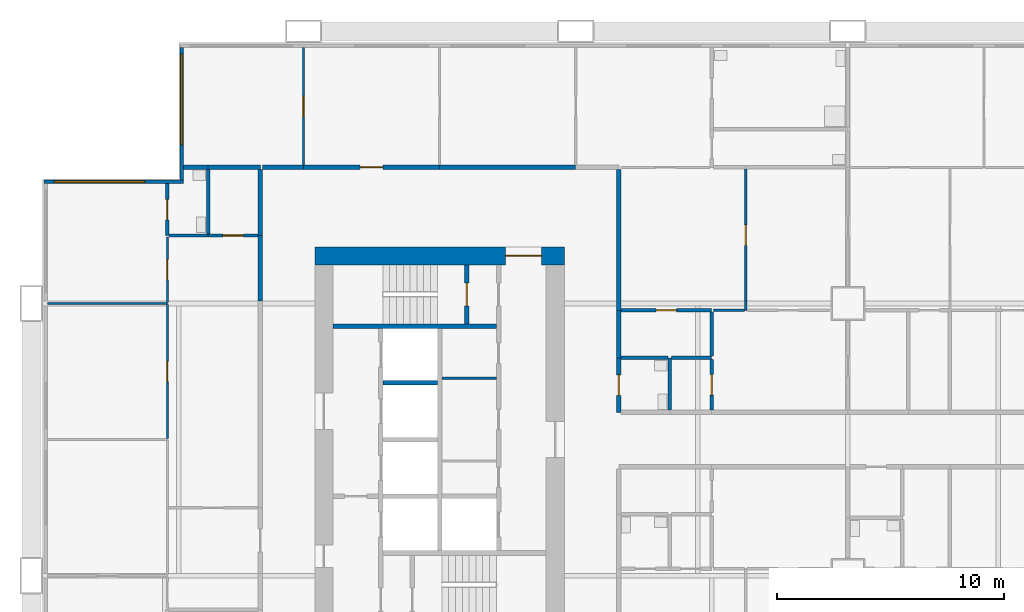
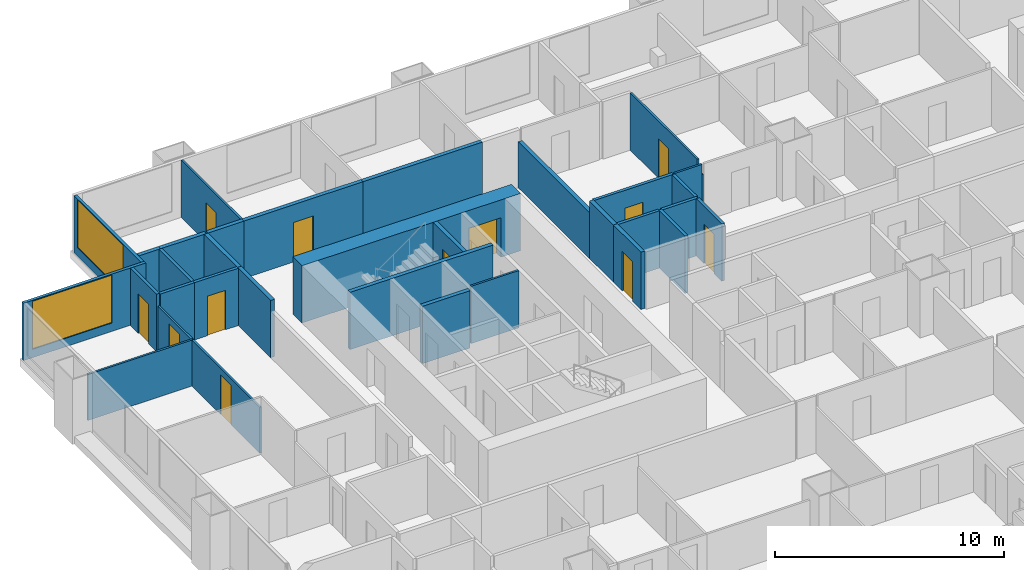
# One storey, part 8 of 14: 34 walls, 12 doors, 2 windows, 14 openings.
"""IFC4 building model written with IfcOpenShell, lengths in metres."""

from ifc_helpers import new_model, si_unit, direction, frame, frame_2d, origin, place, context, subcontext, project, spatial, rectangle, extrude, material, layer, layer_set, type_object, element, fill, save


model = new_model("IFC4")

# Units and contexts
model_context = context("Model", 3, precision=1e-05, world=origin(), true_north=direction((0.0, 1.0)))
body_context = subcontext(model_context, "Body", "Model", "MODEL_VIEW")
ifc_project = project(units=[si_unit("LENGTHUNIT", "METRE"), si_unit("AREAUNIT", "SQUARE_METRE"), si_unit("VOLUMEUNIT", "CUBIC_METRE"), si_unit("PLANEANGLEUNIT", "RADIAN"), si_unit("MASSUNIT", "GRAM", prefix="KILO")], contexts=[model_context])

# Site, building, storey
site_placement = place(None, origin())
site = spatial("IfcSite", under=ifc_project, at=site_placement, CompositionType="ELEMENT")
building_placement = place(site_placement, origin())
building = spatial("IfcBuilding", under=site, at=building_placement, Name="Kitamizu Gate Tower and Museum", CompositionType="ELEMENT")
storey_placement = place(building_placement, frame((0.0, 0.0, 67.949951171875)))
storey = spatial("IfcBuildingStorey", under=building, at=storey_placement, Name="L16", CompositionType="ELEMENT", Elevation=67.949951171875)

# Wall, opening, door
ifc_material_1 = material(Name="Concrete Fc60", Category="concrete")
ifc_layer_1 = layer(ifc_material_1, 0.800048828125)
ifc_layer_set_1 = layer_set([ifc_layer_1], Name="Concrete Fc60")
wall_type_1 = type_object("IfcWallType", Name="Core wall 800", PredefinedType="SHEAR", material=ifc_layer_set_1)
wall_1_placement = place(storey_placement, frame((12.5, 38.10009765625, 0.0), z_axis=(0.0, 0.0, 1.0), x_axis=(1.0, 0.0, 0.0)))
wall_1 = element("IfcWall", 1, at=wall_1_placement, inside=storey, type_object=wall_type_1, Name="Core wall WN", PredefinedType="SHEAR", context=body_context, shape_type="SweptSolid", body=[
    extrude(rectangle(XDim=11.0, YDim=0.800048828125, at=frame_2d((5.5, 0.0))), origin(), (0.0, 0.0, 1.0), 3.050048828125),
])
opening_1_placement = place(wall_1_placement, frame((8.39990234375, 0.0, 0.0)))
opening_1 = element("IfcOpeningElement", 2, at=opening_1_placement, cuts=wall_1, Name="Opening L16-092", PredefinedType="OPENING", context=body_context, shape_type="SweptSolid", body=[
    extrude(rectangle(XDim=1.60009765625, YDim=2.10009765625, at=frame_2d((0.800048828125, 1.050048828125))), frame((0.0, 0.41015625, 0.0), z_axis=(0.0, -1.0, 0.0), x_axis=(1.0, 0.0, 0.0)), (0.0, 0.0, 1.0), 0.820068359375),
])
ifc_material_2 = material(Name="Timber door set", Category="wood")
door_type_1 = type_object("IfcDoorType", Name="Entrance door 1600", OperationType="DOUBLE_DOOR_SINGLE_SWING", PredefinedType="DOOR", material=ifc_material_2)
door_1_placement = place(opening_1_placement, origin())
door_1 = element("IfcDoor", 3, at=door_1_placement, inside=storey, type_object=door_type_1, Name="Lobby door L16-092", OperationType="DOUBLE_DOOR_SINGLE_SWING", OverallHeight=2.10009765625, OverallWidth=1.60009765625, PredefinedType="DOOR", context=body_context, shape_type="SweptSolid", body=[
    extrude(rectangle(XDim=1.60009765625, YDim=2.10009765625, at=frame_2d((0.800048828125, 1.050048828125))), frame((0.0, 0.02490234375, 0.0), z_axis=(0.0, -1.0, 0.0), x_axis=(1.0, 0.0, 0.0)), (0.0, 0.0, 1.0), 0.050048828125),
])
fill(opening_1, door_1)

# Walls
ifc_material_3 = material(Name="Gypsum board on galvanised stud")
ifc_layer_2 = layer(ifc_material_3, 0.10009765625)
ifc_layer_set_2 = layer_set([ifc_layer_2], Name="Gypsum board on galvanised stud")
wall_type_2 = type_object("IfcWallType", Name="Partition 100", PredefinedType="PARTITIONING", material=ifc_layer_set_2)
wall_2_placement = place(storey_placement, frame((18.10009765625, 32.7099609375, 0.0), z_axis=(0.0, 0.0, 1.0), x_axis=(1.0, 0.0, 0.0)))
element("IfcWall", 4, at=wall_2_placement, inside=storey, type_object=wall_type_2, Name="Partition WPF2", PredefinedType="PARTITIONING", context=body_context, shape_type="SweptSolid", body=[
    extrude(rectangle(XDim=2.39990234375, YDim=0.10009765625, at=frame_2d((1.199951171875, 0.0))), origin(), (0.0, 0.0, 1.0), 3.050048828125),
])
ifc_material_4 = material(Name="Gypsum board on galvanised stud")
ifc_layer_3 = layer(ifc_material_4, 0.10009765625)
ifc_layer_set_3 = layer_set([ifc_layer_3], Name="Gypsum board on galvanised stud")
wall_type_3 = type_object("IfcWallType", Name="Partition 100 NOT RATED", PredefinedType="PARTITIONING", material=ifc_layer_set_3)
wall_3_placement = place(storey_placement, frame((6.0, 36.0, 0.0), z_axis=(0.0, 0.0, 1.0), x_axis=(-1.0, 0.0, 0.0)))
element("IfcWall", 5, at=wall_3_placement, inside=storey, type_object=wall_type_3, Name="Partition L16-134", PredefinedType="PARTITIONING", context=body_context, shape_type="SweptSolid", body=[
    extrude(rectangle(XDim=5.280029296875, YDim=0.10009765625, at=frame_2d((2.64013671875, 0.0))), origin(), (0.0, 0.0, 1.0), 2.449951171875),
])

# Wall, opening, door
wall_4_placement = place(storey_placement, frame((6.0, 30.050048828125, 0.0), z_axis=(0.0, 0.0, 1.0), x_axis=(0.0, 1.0, 0.0)))
wall_4 = element("IfcWall", 6, at=wall_4_placement, inside=storey, type_object=wall_type_3, Name="Partition L16-135", PredefinedType="PARTITIONING", context=body_context, shape_type="SweptSolid", body=[
    extrude(rectangle(XDim=5.89990234375, YDim=0.10009765625, at=frame_2d((2.949951171875, 0.0))), origin(), (0.0, 0.0, 1.0), 2.449951171875),
])
opening_2_placement = place(wall_4_placement, frame((2.5, 0.0, 0.0)))
opening_2 = element("IfcOpeningElement", 7, at=opening_2_placement, cuts=wall_4, Name="Opening L16-050", PredefinedType="OPENING", context=body_context, shape_type="SweptSolid", body=[
    extrude(rectangle(XDim=0.89990234375, YDim=2.10009765625, at=frame_2d((0.449951171875, 1.050048828125))), frame((0.0, 0.06005859375, 0.0), z_axis=(0.0, -1.0, 0.0), x_axis=(1.0, 0.0, 0.0)), (0.0, 0.0, 1.0), 0.1201171875),
])
ifc_material_5 = material(Name="Timber door set", Category="wood")
door_type_2 = type_object("IfcDoorType", Name="Room door 900", OperationType="NOTDEFINED", PredefinedType="DOOR", material=ifc_material_5)
door_2_placement = place(opening_2_placement, origin())
door_2 = element("IfcDoor", 8, at=door_2_placement, inside=storey, type_object=door_type_2, Name="Door L16-050", OperationType="SINGLE_SWING_LEFT", OverallHeight=2.10009765625, OverallWidth=0.89990234375, PredefinedType="DOOR", context=body_context, shape_type="SweptSolid", body=[
    extrude(rectangle(XDim=0.89990234375, YDim=2.10009765625, at=frame_2d((0.449951171875, 1.050048828125))), frame((0.0, 0.02490234375, 0.0), z_axis=(0.0, -1.0, 0.0), x_axis=(1.0, 0.0, 0.0)), (0.0, 0.0, 1.0), 0.050048828125),
])
fill(opening_2, door_2)

wall_5_placement = place(storey_placement, frame((6.0, 36.050048828125, 0.0), z_axis=(0.0, 0.0, 1.0), x_axis=(0.0, 1.0, 0.0)))
wall_5 = element("IfcWall", 9, at=wall_5_placement, inside=storey, type_object=wall_type_3, Name="Partition L16-136", PredefinedType="PARTITIONING", context=body_context, shape_type="SweptSolid", body=[
    extrude(rectangle(XDim=2.875, YDim=0.10009765625, at=frame_2d((1.4375, 0.0))), origin(), (0.0, 0.0, 1.0), 2.449951171875),
])
opening_3_placement = place(wall_5_placement, frame((0.987548828125, 0.0, 0.0)))
opening_3 = element("IfcOpeningElement", 10, at=opening_3_placement, cuts=wall_5, Name="Opening L16-051", PredefinedType="OPENING", context=body_context, shape_type="SweptSolid", body=[
    extrude(rectangle(XDim=0.89990234375, YDim=2.10009765625, at=frame_2d((0.449951171875, 1.050048828125))), frame((0.0, 0.06005859375, 0.0), z_axis=(0.0, -1.0, 0.0), x_axis=(1.0, 0.0, 0.0)), (0.0, 0.0, 1.0), 0.1201171875),
])
door_3_placement = place(opening_3_placement, origin())
door_3 = element("IfcDoor", 11, at=door_3_placement, inside=storey, type_object=door_type_2, Name="Door L16-051", OperationType="SINGLE_SWING_RIGHT", OverallHeight=2.10009765625, OverallWidth=0.89990234375, PredefinedType="DOOR", context=body_context, shape_type="SweptSolid", body=[
    extrude(rectangle(XDim=0.89990234375, YDim=2.10009765625, at=frame_2d((0.449951171875, 1.050048828125))), frame((0.0, 0.02490234375, 0.0), z_axis=(0.0, -1.0, 0.0), x_axis=(1.0, 0.0, 0.0)), (0.0, 0.0, 1.0), 0.050048828125),
])
fill(opening_3, door_3)

wall_6_placement = place(storey_placement, frame((12.0, 42.10009765625, 0.0), z_axis=(0.0, 0.0, 1.0), x_axis=(0.0, 1.0, 0.0)))
wall_6 = element("IfcWall", 12, at=wall_6_placement, inside=storey, type_object=wall_type_3, Name="Partition L16-151", PredefinedType="PARTITIONING", context=body_context, shape_type="SweptSolid", body=[
    extrude(rectangle(XDim=5.179931640625, YDim=0.10009765625, at=frame_2d((2.58984375, 0.0))), origin(), (0.0, 0.0, 1.0), 3.050048828125),
])
opening_4_placement = place(wall_6_placement, frame((2.139892578125, 0.0, 0.0)))
opening_4 = element("IfcOpeningElement", 13, at=opening_4_placement, cuts=wall_6, Name="Opening L16-057", PredefinedType="OPENING", context=body_context, shape_type="SweptSolid", body=[
    extrude(rectangle(XDim=0.89990234375, YDim=2.10009765625, at=frame_2d((0.449951171875, 1.050048828125))), frame((0.0, 0.06005859375, 0.0), z_axis=(0.0, -1.0, 0.0), x_axis=(1.0, 0.0, 0.0)), (0.0, 0.0, 1.0), 0.1201171875),
])
door_4_placement = place(opening_4_placement, origin())
door_4 = element("IfcDoor", 14, at=door_4_placement, inside=storey, type_object=door_type_2, Name="Door L16-057", OperationType="SINGLE_SWING_LEFT", OverallHeight=2.10009765625, OverallWidth=0.89990234375, PredefinedType="DOOR", context=body_context, shape_type="SweptSolid", body=[
    extrude(rectangle(XDim=0.89990234375, YDim=2.10009765625, at=frame_2d((0.449951171875, 1.050048828125))), frame((0.0, 0.02490234375, 0.0), z_axis=(0.0, -1.0, 0.0), x_axis=(1.0, 0.0, 0.0)), (0.0, 0.0, 1.0), 0.050048828125),
])
fill(opening_4, door_4)

# Wall
wall_7_placement = place(storey_placement, frame((31.5, 35.699951171875, 0.0), z_axis=(0.0, 0.0, 1.0), x_axis=(0.0, 1.0, 0.0)))
element("IfcWall", 15, at=wall_7_placement, inside=storey, type_object=wall_type_3, Name="Partition L16-176", PredefinedType="PARTITIONING", context=body_context, shape_type="SweptSolid", body=[
    extrude(rectangle(XDim=0.400146484375, YDim=0.10009765625, at=frame_2d((0.2001953125, 0.0))), origin(), (0.0, 0.0, 1.0), 2.449951171875),
])

# Wall, opening, door
wall_8_placement = place(storey_placement, frame((31.5, 36.10009765625, 0.0), z_axis=(0.0, 0.0, 1.0), x_axis=(0.0, 1.0, 0.0)))
wall_8 = element("IfcWall", 16, at=wall_8_placement, inside=storey, type_object=wall_type_3, Name="Partition L16-177", PredefinedType="PARTITIONING", context=body_context, shape_type="SweptSolid", body=[
    extrude(rectangle(XDim=5.824951171875, YDim=0.10009765625, at=frame_2d((2.91259765625, 0.0))), origin(), (0.0, 0.0, 1.0), 3.050048828125),
])
opening_5_placement = place(wall_8_placement, frame((2.46240234375, 0.0, 0.0)))
opening_5 = element("IfcOpeningElement", 17, at=opening_5_placement, cuts=wall_8, Name="Opening L16-063", PredefinedType="OPENING", context=body_context, shape_type="SweptSolid", body=[
    extrude(rectangle(XDim=0.89990234375, YDim=2.10009765625, at=frame_2d((0.449951171875, 1.050048828125))), frame((0.0, 0.06005859375, 0.0), z_axis=(0.0, -1.0, 0.0), x_axis=(1.0, 0.0, 0.0)), (0.0, 0.0, 1.0), 0.1201171875),
])
door_5_placement = place(opening_5_placement, frame((0.89990234375, 0.0, 0.0), x_axis=(-1.0, 0.0, 0.0)))
door_5 = element("IfcDoor", 18, at=door_5_placement, inside=storey, type_object=door_type_2, Name="Door L16-063", OperationType="SINGLE_SWING_RIGHT", OverallHeight=2.10009765625, OverallWidth=0.89990234375, PredefinedType="DOOR", context=body_context, shape_type="SweptSolid", body=[
    extrude(rectangle(XDim=0.89990234375, YDim=2.10009765625, at=frame_2d((0.449951171875, 1.050048828125))), frame((0.0, 0.02490234375, 0.0), z_axis=(0.0, -1.0, 0.0), x_axis=(1.0, 0.0, 0.0)), (0.0, 0.0, 1.0), 0.050048828125),
])
fill(opening_5, door_5)

# Wall
wall_9_placement = place(storey_placement, frame((30.074951171875, 35.699951171875, 0.0), z_axis=(0.0, 0.0, 1.0), x_axis=(1.0, 0.0, 0.0)))
element("IfcWall", 19, at=wall_9_placement, inside=storey, type_object=wall_type_3, Name="Partition L16-179", PredefinedType="PARTITIONING", context=body_context, shape_type="SweptSolid", body=[
    extrude(rectangle(XDim=1.375, YDim=0.10009765625, at=frame_2d((0.6875, 0.0))), origin(), (0.0, 0.0, 1.0), 3.050048828125),
])

# Wall, opening, door
ifc_material_6 = material(Name="Gypsum board on galvanised stud")
ifc_layer_4 = layer(ifc_material_6, 0.14990234375)
ifc_layer_set_4 = layer_set([ifc_layer_4], Name="Gypsum board on galvanised stud")
wall_type_4 = type_object("IfcWallType", Name="Partition 150", PredefinedType="PARTITIONING", material=ifc_layer_set_4)
wall_10_placement = place(storey_placement, frame((6.0, 39.0, 0.0), z_axis=(0.0, 0.0, 1.0), x_axis=(0.0, 1.0, 0.0)))
wall_10 = element("IfcWall", 20, at=wall_10_placement, inside=storey, type_object=wall_type_4, Name="Partition L16-137", PredefinedType="PARTITIONING", context=body_context, shape_type="SweptSolid", body=[
    extrude(rectangle(XDim=2.280029296875, YDim=0.14990234375, at=frame_2d((1.14013671875, 0.0))), origin(), (0.0, 0.0, 1.0), 3.050048828125),
])
opening_6_placement = place(wall_10_placement, frame((0.68994140625, 0.0, 0.0)))
opening_6 = element("IfcOpeningElement", 21, at=opening_6_placement, cuts=wall_10, Name="Opening L16-054", PredefinedType="OPENING", context=body_context, shape_type="SweptSolid", body=[
    extrude(rectangle(XDim=0.89990234375, YDim=2.10009765625, at=frame_2d((0.449951171875, 1.050048828125))), frame((0.0, 0.0849609375, 0.0), z_axis=(0.0, -1.0, 0.0), x_axis=(1.0, 0.0, 0.0)), (0.0, 0.0, 1.0), 0.169921875),
])
ifc_material_7 = material(Name="Timber door set", Category="wood")
door_type_3 = type_object("IfcDoorType", Name="Bathroom door 900", OperationType="NOTDEFINED", PredefinedType="DOOR", material=ifc_material_7)
door_6_placement = place(opening_6_placement, frame((0.89990234375, 0.0, 0.0), x_axis=(-1.0, 0.0, 0.0)))
door_6 = element("IfcDoor", 22, at=door_6_placement, inside=storey, type_object=door_type_3, Name="Bathroom door L16-054", OperationType="SINGLE_SWING_LEFT", OverallHeight=2.10009765625, OverallWidth=0.89990234375, PredefinedType="DOOR", context=body_context, shape_type="SweptSolid", body=[
    extrude(rectangle(XDim=0.89990234375, YDim=2.10009765625, at=frame_2d((0.449951171875, 1.050048828125))), frame((0.0, 0.02490234375, 0.0), z_axis=(0.0, -1.0, 0.0), x_axis=(1.0, 0.0, 0.0)), (0.0, 0.0, 1.0), 0.050048828125),
])
fill(opening_6, door_6)

# Wall
wall_11_placement = place(storey_placement, frame((7.800048828125, 39.0, 0.0), z_axis=(0.0, 0.0, 1.0), x_axis=(-1.0, 0.0, 0.0)))
element("IfcWall", 23, at=wall_11_placement, inside=storey, type_object=wall_type_4, Name="Partition L16-143", PredefinedType="PARTITIONING", context=body_context, shape_type="SweptSolid", body=[
    extrude(rectangle(XDim=1.72509765625, YDim=0.14990234375, at=frame_2d((0.862548828125, 0.0))), origin(), (0.0, 0.0, 1.0), 3.050048828125),
])

# Wall, opening, door
wall_12_placement = place(storey_placement, frame((10.0, 39.0, 0.0), z_axis=(0.0, 0.0, 1.0), x_axis=(-1.0, 0.0, 0.0)))
wall_12 = element("IfcWall", 24, at=wall_12_placement, inside=storey, type_object=wall_type_4, Name="Partition L16-144", PredefinedType="PARTITIONING", context=body_context, shape_type="SweptSolid", body=[
    extrude(rectangle(XDim=2.199951171875, YDim=0.14990234375, at=frame_2d((1.10009765625, 0.0))), origin(), (0.0, 0.0, 1.0), 3.050048828125),
])
opening_7_placement = place(wall_12_placement, frame((0.64990234375, 0.0, 0.0)))
opening_7 = element("IfcOpeningElement", 25, at=opening_7_placement, cuts=wall_12, Name="Opening L16-055", PredefinedType="OPENING", context=body_context, shape_type="SweptSolid", body=[
    extrude(rectangle(XDim=0.89990234375, YDim=2.10009765625, at=frame_2d((0.449951171875, 1.050048828125))), frame((0.0, 0.0849609375, 0.0), z_axis=(0.0, -1.0, 0.0), x_axis=(1.0, 0.0, 0.0)), (0.0, 0.0, 1.0), 0.169921875),
])
door_7_placement = place(opening_7_placement, frame((0.89990234375, 0.0, 0.0), x_axis=(-1.0, 0.0, 0.0)))
door_7 = element("IfcDoor", 26, at=door_7_placement, inside=storey, type_object=door_type_3, Name="Bathroom door L16-055", OperationType="SINGLE_SWING_RIGHT", OverallHeight=2.10009765625, OverallWidth=0.89990234375, PredefinedType="DOOR", context=body_context, shape_type="SweptSolid", body=[
    extrude(rectangle(XDim=0.89990234375, YDim=2.10009765625, at=frame_2d((0.449951171875, 1.050048828125))), frame((0.0, 0.02490234375, 0.0), z_axis=(0.0, -1.0, 0.0), x_axis=(1.0, 0.0, 0.0)), (0.0, 0.0, 1.0), 0.050048828125),
])
fill(opening_7, door_7)

# Wall
wall_13_placement = place(storey_placement, frame((7.800048828125, 39.074951171875, 0.0), z_axis=(0.0, 0.0, 1.0), x_axis=(0.0, 1.0, 0.0)))
element("IfcWall", 27, at=wall_13_placement, inside=storey, type_object=wall_type_4, Name="Partition L16-147", PredefinedType="PARTITIONING", context=body_context, shape_type="SweptSolid", body=[
    extrude(rectangle(XDim=2.824951171875, YDim=0.14990234375, at=frame_2d((1.41259765625, 0.0))), origin(), (0.0, 0.0, 1.0), 3.050048828125),
])

# Wall, opening, door
wall_14_placement = place(storey_placement, frame((26.0, 35.699951171875, 0.0), z_axis=(0.0, 0.0, 1.0), x_axis=(1.0, 0.0, 0.0)))
wall_14 = element("IfcWall", 28, at=wall_14_placement, inside=storey, type_object=wall_type_4, Name="Partition L16-178", PredefinedType="PARTITIONING", context=body_context, shape_type="SweptSolid", body=[
    extrude(rectangle(XDim=4.0, YDim=0.14990234375, at=frame_2d((2.0, 0.0))), origin(), (0.0, 0.0, 1.0), 3.050048828125),
])
opening_8_placement = place(wall_14_placement, frame((1.550048828125, 0.0, 0.0)))
opening_8 = element("IfcOpeningElement", 29, at=opening_8_placement, cuts=wall_14, Name="Opening L16-064", PredefinedType="OPENING", context=body_context, shape_type="SweptSolid", body=[
    extrude(rectangle(XDim=0.89990234375, YDim=2.10009765625, at=frame_2d((0.449951171875, 1.050048828125))), frame((0.0, 0.0849609375, 0.0), z_axis=(0.0, -1.0, 0.0), x_axis=(1.0, 0.0, 0.0)), (0.0, 0.0, 1.0), 0.169921875),
])
door_8_placement = place(opening_8_placement, frame((0.89990234375, 0.0, 0.0), x_axis=(-1.0, 0.0, 0.0)))
door_8 = element("IfcDoor", 30, at=door_8_placement, inside=storey, type_object=door_type_3, Name="Bathroom door L16-064", OperationType="SINGLE_SWING_LEFT", OverallHeight=2.10009765625, OverallWidth=0.89990234375, PredefinedType="DOOR", context=body_context, shape_type="SweptSolid", body=[
    extrude(rectangle(XDim=0.89990234375, YDim=2.10009765625, at=frame_2d((0.449951171875, 1.050048828125))), frame((0.0, 0.02490234375, 0.0), z_axis=(0.0, -1.0, 0.0), x_axis=(1.0, 0.0, 0.0)), (0.0, 0.0, 1.0), 0.050048828125),
])
fill(opening_8, door_8)

# Walls
wall_15_placement = place(storey_placement, frame((28.14990234375, 31.300048828125, 0.0), z_axis=(0.0, 0.0, 1.0), x_axis=(0.0, 1.0, 0.0)))
element("IfcWall", 31, at=wall_15_placement, inside=storey, type_object=wall_type_4, Name="Partition L16-183", PredefinedType="PARTITIONING", context=body_context, shape_type="SweptSolid", body=[
    extrude(rectangle(XDim=2.300048828125, YDim=0.14990234375, at=frame_2d((1.14990234375, 0.0))), origin(), (0.0, 0.0, 1.0), 3.050048828125),
])
wall_16_placement = place(storey_placement, frame((28.074951171875, 33.60009765625, 0.0), z_axis=(0.0, 0.0, 1.0), x_axis=(-1.0, 0.0, 0.0)))
element("IfcWall", 32, at=wall_16_placement, inside=storey, type_object=wall_type_4, Name="Partition L16-184", PredefinedType="PARTITIONING", context=body_context, shape_type="SweptSolid", body=[
    extrude(rectangle(XDim=2.074951171875, YDim=0.14990234375, at=frame_2d((1.03759765625, 0.0))), origin(), (0.0, 0.0, 1.0), 3.050048828125),
])
wall_17_placement = place(storey_placement, frame((30.0, 33.60009765625, 0.0), z_axis=(0.0, 0.0, 1.0), x_axis=(-1.0, 0.0, 0.0)))
element("IfcWall", 33, at=wall_17_placement, inside=storey, type_object=wall_type_4, Name="Partition L16-187", PredefinedType="PARTITIONING", context=body_context, shape_type="SweptSolid", body=[
    extrude(rectangle(XDim=1.77490234375, YDim=0.14990234375, at=frame_2d((0.887451171875, 0.0))), origin(), (0.0, 0.0, 1.0), 3.050048828125),
])

# Wall, opening, door
wall_18_placement = place(storey_placement, frame((30.0, 31.300048828125, 0.0), z_axis=(0.0, 0.0, 1.0), x_axis=(0.0, 1.0, 0.0)))
wall_18 = element("IfcWall", 34, at=wall_18_placement, inside=storey, type_object=wall_type_4, Name="Partition L16-188", PredefinedType="PARTITIONING", context=body_context, shape_type="SweptSolid", body=[
    extrude(rectangle(XDim=2.224853515625, YDim=0.14990234375, at=frame_2d((1.1123046875, 0.0))), origin(), (0.0, 0.0, 1.0), 3.050048828125),
])
opening_9_placement = place(wall_18_placement, frame((0.66259765625, 0.0, 0.0)))
opening_9 = element("IfcOpeningElement", 35, at=opening_9_placement, cuts=wall_18, Name="Opening L16-075", PredefinedType="OPENING", context=body_context, shape_type="SweptSolid", body=[
    extrude(rectangle(XDim=0.89990234375, YDim=2.10009765625, at=frame_2d((0.449951171875, 1.050048828125))), frame((0.0, 0.0849609375, 0.0), z_axis=(0.0, -1.0, 0.0), x_axis=(1.0, 0.0, 0.0)), (0.0, 0.0, 1.0), 0.169921875),
])
door_9_placement = place(opening_9_placement, origin())
door_9 = element("IfcDoor", 36, at=door_9_placement, inside=storey, type_object=door_type_3, Name="Bathroom door L16-075", OperationType="SINGLE_SWING_RIGHT", OverallHeight=2.10009765625, OverallWidth=0.89990234375, PredefinedType="DOOR", context=body_context, shape_type="SweptSolid", body=[
    extrude(rectangle(XDim=0.89990234375, YDim=2.10009765625, at=frame_2d((0.449951171875, 1.050048828125))), frame((0.0, 0.02490234375, 0.0), z_axis=(0.0, -1.0, 0.0), x_axis=(1.0, 0.0, 0.0)), (0.0, 0.0, 1.0), 0.050048828125),
])
fill(opening_9, door_9)

# Walls
wall_19_placement = place(storey_placement, frame((30.0, 33.675048828125, 0.0), z_axis=(0.0, 0.0, 1.0), x_axis=(0.0, 1.0, 0.0)))
element("IfcWall", 37, at=wall_19_placement, inside=storey, type_object=wall_type_4, Name="Partition L16-190", PredefinedType="PARTITIONING", context=body_context, shape_type="SweptSolid", body=[
    extrude(rectangle(XDim=1.949951171875, YDim=0.14990234375, at=frame_2d((0.97509765625, 0.0))), origin(), (0.0, 0.0, 1.0), 3.050048828125),
])
ifc_material_8 = material(Name="Gypsum board on galvanised stud")
ifc_layer_5 = layer(ifc_material_8, 0.199951171875)
ifc_layer_set_5 = layer_set([ifc_layer_5], Name="Gypsum board on galvanised stud")
wall_type_5 = type_object("IfcWallType", Name="Partition 200", PredefinedType="PARTITIONING", material=ifc_layer_set_5)
wall_20_placement = place(storey_placement, frame((10.10009765625, 36.10009765625, 0.0), z_axis=(0.0, 0.0, 1.0), x_axis=(0.0, 1.0, 0.0)))
element("IfcWall", 38, at=wall_20_placement, inside=storey, type_object=wall_type_5, Name="Partition L16-146", PredefinedType="PARTITIONING", context=body_context, shape_type="SweptSolid", body=[
    extrude(rectangle(XDim=2.89990234375, YDim=0.199951171875, at=frame_2d((1.449951171875, 0.0))), origin(), (0.0, 0.0, 1.0), 3.050048828125),
])
wall_21_placement = place(storey_placement, frame((7.800048828125, 42.0, 0.0), z_axis=(0.0, 0.0, 1.0), x_axis=(-1.0, 0.0, 0.0)))
element("IfcWall", 39, at=wall_21_placement, inside=storey, type_object=wall_type_5, Name="Partition L16-148", PredefinedType="PARTITIONING", context=body_context, shape_type="SweptSolid", body=[
    extrude(rectangle(XDim=1.080078125, YDim=0.199951171875, at=frame_2d((0.5400390625, 0.0))), origin(), (0.0, 0.0, 1.0), 3.050048828125),
])
wall_22_placement = place(storey_placement, frame((10.10009765625, 42.0, 0.0), z_axis=(0.0, 0.0, 1.0), x_axis=(-1.0, 0.0, 0.0)))
element("IfcWall", 40, at=wall_22_placement, inside=storey, type_object=wall_type_5, Name="Partition L16-149", PredefinedType="PARTITIONING", context=body_context, shape_type="SweptSolid", body=[
    extrude(rectangle(XDim=2.300048828125, YDim=0.199951171875, at=frame_2d((1.14990234375, 0.0))), origin(), (0.0, 0.0, 1.0), 3.050048828125),
])
wall_23_placement = place(storey_placement, frame((10.10009765625, 39.0, 0.0), z_axis=(0.0, 0.0, 1.0), x_axis=(0.0, 1.0, 0.0)))
element("IfcWall", 41, at=wall_23_placement, inside=storey, type_object=wall_type_5, Name="Partition L16-150", PredefinedType="PARTITIONING", context=body_context, shape_type="SweptSolid", body=[
    extrude(rectangle(XDim=2.89990234375, YDim=0.199951171875, at=frame_2d((1.449951171875, 0.0))), origin(), (0.0, 0.0, 1.0), 3.050048828125),
])
wall_24_placement = place(storey_placement, frame((10.199951171875, 42.0, 0.0), z_axis=(0.0, 0.0, 1.0), x_axis=(1.0, 0.0, 0.0)))
element("IfcWall", 42, at=wall_24_placement, inside=storey, type_object=wall_type_5, Name="Partition L16-152", PredefinedType="PARTITIONING", context=body_context, shape_type="SweptSolid", body=[
    extrude(rectangle(XDim=1.800048828125, YDim=0.199951171875, at=frame_2d((0.89990234375, 0.0))), origin(), (0.0, 0.0, 1.0), 3.050048828125),
])

# Wall, opening, door
wall_25_placement = place(storey_placement, frame((12.0, 42.0, 0.0), z_axis=(0.0, 0.0, 1.0), x_axis=(1.0, 0.0, 0.0)))
wall_25 = element("IfcWall", 43, at=wall_25_placement, inside=storey, type_object=wall_type_5, Name="Partition L16-154", PredefinedType="PARTITIONING", context=body_context, shape_type="SweptSolid", body=[
    extrude(rectangle(XDim=6.0, YDim=0.199951171875, at=frame_2d((3.0, 0.0))), origin(), (0.0, 0.0, 1.0), 3.050048828125),
])
opening_10_placement = place(wall_25_placement, frame((2.5, 0.0, 0.0)))
opening_10 = element("IfcOpeningElement", 44, at=opening_10_placement, cuts=wall_25, Name="Opening L16-056", PredefinedType="OPENING", context=body_context, shape_type="SweptSolid", body=[
    extrude(rectangle(XDim=1.0, YDim=2.10009765625, at=frame_2d((0.5, 1.050048828125))), frame((0.0, 0.10986328125, 0.0), z_axis=(0.0, -1.0, 0.0), x_axis=(1.0, 0.0, 0.0)), (0.0, 0.0, 1.0), 0.219970703125),
])
ifc_material_9 = material(Name="Timber door set", Category="wood")
door_type_4 = type_object("IfcDoorType", Name="Flat entrance door 1000", OperationType="NOTDEFINED", PredefinedType="DOOR", material=ifc_material_9)
door_10_placement = place(opening_10_placement, origin())
door_10 = element("IfcDoor", 45, at=door_10_placement, inside=storey, type_object=door_type_4, Name="Flat entrance door L16-056", OperationType="SINGLE_SWING_RIGHT", OverallHeight=2.10009765625, OverallWidth=1.0, PredefinedType="DOOR", context=body_context, shape_type="SweptSolid", body=[
    extrude(rectangle(XDim=1.0, YDim=2.10009765625, at=frame_2d((0.5, 1.050048828125))), frame((0.0, 0.02490234375, 0.0), z_axis=(0.0, -1.0, 0.0), x_axis=(1.0, 0.0, 0.0)), (0.0, 0.0, 1.0), 0.050048828125),
])
fill(opening_10, door_10)

# Walls
wall_26_placement = place(storey_placement, frame((18.0, 42.0, 0.0), z_axis=(0.0, 0.0, 1.0), x_axis=(1.0, 0.0, 0.0)))
element("IfcWall", 46, at=wall_26_placement, inside=storey, type_object=wall_type_5, Name="Partition L16-156", PredefinedType="PARTITIONING", context=body_context, shape_type="SweptSolid", body=[
    extrude(rectangle(XDim=6.0, YDim=0.199951171875, at=frame_2d((3.0, 0.0))), origin(), (0.0, 0.0, 1.0), 3.050048828125),
])
wall_27_placement = place(storey_placement, frame((25.89990234375, 41.89990234375, 0.0), z_axis=(0.0, 0.0, 1.0), x_axis=(0.0, -1.0, 0.0)))
element("IfcWall", 47, at=wall_27_placement, inside=storey, type_object=wall_type_5, Name="Partition L16-180", PredefinedType="PARTITIONING", context=body_context, shape_type="SweptSolid", body=[
    extrude(rectangle(XDim=6.199951171875, YDim=0.199951171875, at=frame_2d((3.10009765625, 0.0))), origin(), (0.0, 0.0, 1.0), 2.449951171875),
])

# Wall, opening, door
wall_28_placement = place(storey_placement, frame((25.89990234375, 33.60009765625, 0.0), z_axis=(0.0, 0.0, 1.0), x_axis=(0.0, -1.0, 0.0)))
wall_28 = element("IfcWall", 48, at=wall_28_placement, inside=storey, type_object=wall_type_5, Name="Partition L16-185", PredefinedType="PARTITIONING", context=body_context, shape_type="SweptSolid", body=[
    extrude(rectangle(XDim=2.400146484375, YDim=0.199951171875, at=frame_2d((1.2001953125, 0.0))), origin(), (0.0, 0.0, 1.0), 3.050048828125),
])
opening_11_placement = place(wall_28_placement, frame((0.75, 0.0, 0.0)))
opening_11 = element("IfcOpeningElement", 49, at=opening_11_placement, cuts=wall_28, Name="Opening L16-076", PredefinedType="OPENING", context=body_context, shape_type="SweptSolid", body=[
    extrude(rectangle(XDim=0.89990234375, YDim=2.10009765625, at=frame_2d((0.449951171875, 1.050048828125))), frame((0.0, 0.10986328125, 0.0), z_axis=(0.0, -1.0, 0.0), x_axis=(1.0, 0.0, 0.0)), (0.0, 0.0, 1.0), 0.219970703125),
])
ifc_material_10 = material(Name="Timber door set", Category="wood")
door_type_5 = type_object("IfcDoorType", Name="Store door 900", OperationType="NOTDEFINED", PredefinedType="DOOR", material=ifc_material_10)
door_11_placement = place(opening_11_placement, origin())
door_11 = element("IfcDoor", 50, at=door_11_placement, inside=storey, type_object=door_type_5, Name="Service entrance door L16-076", OperationType="SINGLE_SWING_LEFT", OverallHeight=2.10009765625, OverallWidth=0.89990234375, PredefinedType="DOOR", context=body_context, shape_type="SweptSolid", body=[
    extrude(rectangle(XDim=0.89990234375, YDim=2.10009765625, at=frame_2d((0.449951171875, 1.050048828125))), frame((0.0, 0.02490234375, 0.0), z_axis=(0.0, -1.0, 0.0), x_axis=(1.0, 0.0, 0.0)), (0.0, 0.0, 1.0), 0.050048828125),
])
fill(opening_11, door_11)

# Walls
wall_29_placement = place(storey_placement, frame((25.89990234375, 35.699951171875, 0.0), z_axis=(0.0, 0.0, 1.0), x_axis=(0.0, -1.0, 0.0)))
element("IfcWall", 51, at=wall_29_placement, inside=storey, type_object=wall_type_5, Name="Partition L16-191", PredefinedType="PARTITIONING", context=body_context, shape_type="SweptSolid", body=[
    extrude(rectangle(XDim=2.099853515625, YDim=0.199951171875, at=frame_2d((1.0498046875, 0.0))), origin(), (0.0, 0.0, 1.0), 3.050048828125),
])
ifc_material_11 = material(Name="Concrete Fc42", Category="concrete")
ifc_layer_6 = layer(ifc_material_11, 0.199951171875)
ifc_layer_set_6 = layer_set([ifc_layer_6], Name="Concrete Fc42")
wall_type_6 = type_object("IfcWallType", Name="Shaft wall 200", PredefinedType="SOLIDWALL", material=ifc_layer_set_6)
wall_30_placement = place(storey_placement, frame((13.300048828125, 35.0, 0.0), z_axis=(0.0, 0.0, 1.0), x_axis=(1.0, 0.0, 0.0)))
element("IfcWall", 52, at=wall_30_placement, inside=storey, type_object=wall_type_6, Name="Shaft wall WNB", PredefinedType="SOLIDWALL", context=body_context, shape_type="SweptSolid", body=[
    extrude(rectangle(XDim=7.199951171875, YDim=0.199951171875, at=frame_2d((3.60009765625, 0.0))), origin(), (0.0, 0.0, 1.0), 3.050048828125),
])

# Wall, opening, door
wall_31_placement = place(storey_placement, frame((19.199951171875, 35.10009765625, 0.0), z_axis=(0.0, 0.0, 1.0), x_axis=(0.0, 1.0, 0.0)))
wall_31 = element("IfcWall", 53, at=wall_31_placement, inside=storey, type_object=wall_type_6, Name="Shaft wall WNZ", PredefinedType="SOLIDWALL", context=body_context, shape_type="SweptSolid", body=[
    extrude(rectangle(XDim=2.599853515625, YDim=0.199951171875, at=frame_2d((1.2998046875, 0.0))), origin(), (0.0, 0.0, 1.0), 3.050048828125),
])
opening_12_placement = place(wall_31_placement, frame((0.800048828125, 0.0, 0.0)))
opening_12 = element("IfcOpeningElement", 54, at=opening_12_placement, cuts=wall_31, Name="Opening L16-088", PredefinedType="OPENING", context=body_context, shape_type="SweptSolid", body=[
    extrude(rectangle(XDim=1.0, YDim=2.10009765625, at=frame_2d((0.5, 1.050048828125))), frame((0.0, 0.10986328125, 0.0), z_axis=(0.0, -1.0, 0.0), x_axis=(1.0, 0.0, 0.0)), (0.0, 0.0, 1.0), 0.219970703125),
])
ifc_material_12 = material(Name="Hollow metal door set")
door_type_6 = type_object("IfcDoorType", Name="Fire door 1000", OperationType="NOTDEFINED", PredefinedType="DOOR", material=ifc_material_12)
door_12_placement = place(opening_12_placement, origin())
door_12 = element("IfcDoor", 55, at=door_12_placement, inside=storey, type_object=door_type_6, Name="Stair door L16-088", OperationType="SINGLE_SWING_LEFT", OverallHeight=2.10009765625, OverallWidth=1.0, PredefinedType="DOOR", context=body_context, shape_type="SweptSolid", body=[
    extrude(rectangle(XDim=1.0, YDim=2.10009765625, at=frame_2d((0.5, 1.050048828125))), frame((0.0, 0.02490234375, 0.0), z_axis=(0.0, -1.0, 0.0), x_axis=(1.0, 0.0, 0.0)), (0.0, 0.0, 1.0), 0.050048828125),
])
fill(opening_12, door_12)

# Wall
wall_32_placement = place(storey_placement, frame((15.5, 32.5, 0.0), z_axis=(0.0, 0.0, 1.0), x_axis=(1.0, 0.0, 0.0)))
element("IfcWall", 56, at=wall_32_placement, inside=storey, type_object=wall_type_6, Name="Shaft wall WDVW2", PredefinedType="SOLIDWALL", context=body_context, shape_type="SweptSolid", body=[
    extrude(rectangle(XDim=2.39990234375, YDim=0.199951171875, at=frame_2d((1.199951171875, 0.0))), origin(), (0.0, 0.0, 1.0), 3.050048828125),
])

# Wall, opening, window
ifc_material_13 = material(Name="Bronze anodised aluminium frame with insulated spandrel and tinted glass", Category="aluminium")
ifc_layer_7 = layer(ifc_material_13, 0.14990234375)
ifc_layer_set_7 = layer_set([ifc_layer_7], Name="Bronze anodised aluminium frame with insulated spandrel and tinted glass")
wall_type_7 = type_object("IfcWallType", Name="WINDOW WALL 150 BRONZE FRAME EI 30", PredefinedType="ELEMENTEDWALL", material=ifc_layer_set_7)
wall_33_placement = place(storey_placement, frame((6.635009765625, 41.43994140625, 0.0), z_axis=(0.0, 0.0, 1.0), x_axis=(0.0, 1.0, 0.0)))
wall_33 = element("IfcWall", 57, at=wall_33_placement, inside=storey, type_object=wall_type_7, Name="Window wall west L16", PredefinedType="ELEMENTEDWALL", context=body_context, shape_type="SweptSolid", body=[
    extrude(rectangle(XDim=5.85009765625, YDim=0.14990234375, at=frame_2d((2.925048828125, 0.0))), origin(), (0.0, 0.0, 1.0), 3.050048828125),
])
opening_13_placement = place(wall_33_placement, frame((1.56005859375, 0.0, 0.449951171875)))
opening_13 = element("IfcOpeningElement", 58, at=opening_13_placement, cuts=wall_33, Name="Opening W16", PredefinedType="OPENING", context=body_context, shape_type="SweptSolid", body=[
    extrude(rectangle(XDim=4.0, YDim=2.550048828125, at=frame_2d((2.0, 1.27490234375))), frame((0.0, 0.0849609375, 0.0), z_axis=(0.0, -1.0, 0.0), x_axis=(1.0, 0.0, 0.0)), (0.0, 0.0, 1.0), 0.169921875),
])
ifc_material_14 = material(Name="Bronze anodised aluminium frame, tinted triple glazing", Category="aluminium")
window_type = type_object("IfcWindowType", Name="WINDOW 4000 x 2550 SILL 450", PartitioningType="SINGLE_PANEL", PredefinedType="WINDOW", material=ifc_material_14)
window_1_placement = place(opening_13_placement, origin())
window_1 = element("IfcWindow", 59, at=window_1_placement, inside=storey, type_object=window_type, Name="Window W16 L16", OverallHeight=2.550048828125, OverallWidth=4.0, PartitioningType="SINGLE_PANEL", PredefinedType="WINDOW", context=body_context, shape_type="SweptSolid", body=[
    extrude(rectangle(XDim=4.0, YDim=2.550048828125, at=frame_2d((2.0, 1.27490234375))), frame((0.0, 0.030029296875, 0.0), z_axis=(0.0, -1.0, 0.0), x_axis=(1.0, 0.0, 0.0)), (0.0, 0.0, 1.0), 0.06005859375),
])
fill(opening_13, window_1)

wall_34_placement = place(storey_placement, frame((0.56005859375, 41.364990234375, 0.0), z_axis=(0.0, 0.0, 1.0), x_axis=(1.0, 0.0, 0.0)))
wall_34 = element("IfcWall", 60, at=wall_34_placement, inside=storey, type_object=wall_type_7, Name="Window wall north L16", PredefinedType="ELEMENTEDWALL", context=body_context, shape_type="SweptSolid", body=[
    extrude(rectangle(XDim=6.14990234375, YDim=0.14990234375, at=frame_2d((3.074951171875, 0.0))), origin(), (0.0, 0.0, 1.0), 3.050048828125),
])
opening_14_placement = place(wall_34_placement, frame((0.43994140625, 0.0, 0.449951171875)))
opening_14 = element("IfcOpeningElement", 61, at=opening_14_placement, cuts=wall_34, Name="Opening W16", PredefinedType="OPENING", context=body_context, shape_type="SweptSolid", body=[
    extrude(rectangle(XDim=4.0, YDim=2.550048828125, at=frame_2d((2.0, 1.27490234375))), frame((0.0, 0.0849609375, 0.0), z_axis=(0.0, -1.0, 0.0), x_axis=(1.0, 0.0, 0.0)), (0.0, 0.0, 1.0), 0.169921875),
])
window_2_placement = place(opening_14_placement, origin())
window_2 = element("IfcWindow", 62, at=window_2_placement, inside=storey, type_object=window_type, Name="Window W16 L16", OverallHeight=2.550048828125, OverallWidth=4.0, PartitioningType="SINGLE_PANEL", PredefinedType="WINDOW", context=body_context, shape_type="SweptSolid", body=[
    extrude(rectangle(XDim=4.0, YDim=2.550048828125, at=frame_2d((2.0, 1.27490234375))), frame((0.0, 0.030029296875, 0.0), z_axis=(0.0, -1.0, 0.0), x_axis=(1.0, 0.0, 0.0)), (0.0, 0.0, 1.0), 0.06005859375),
])
fill(opening_14, window_2)

save(model, "model.ifc")
